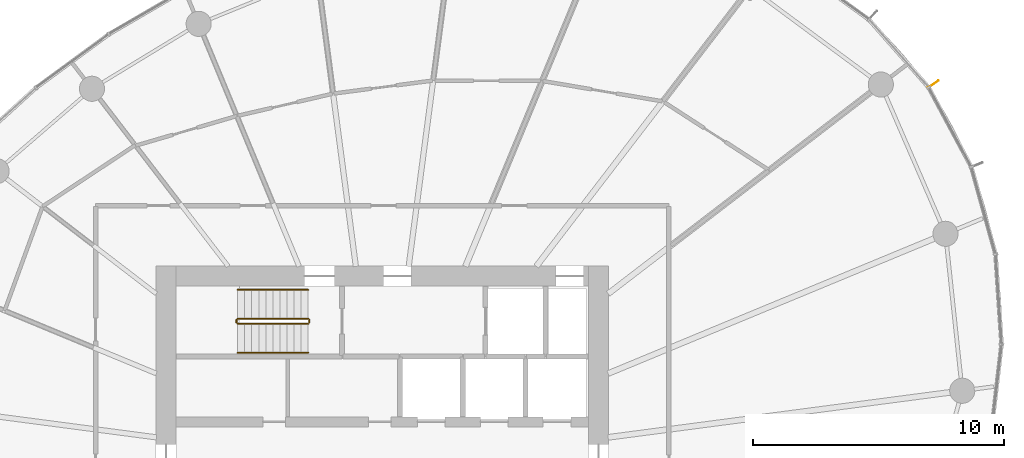
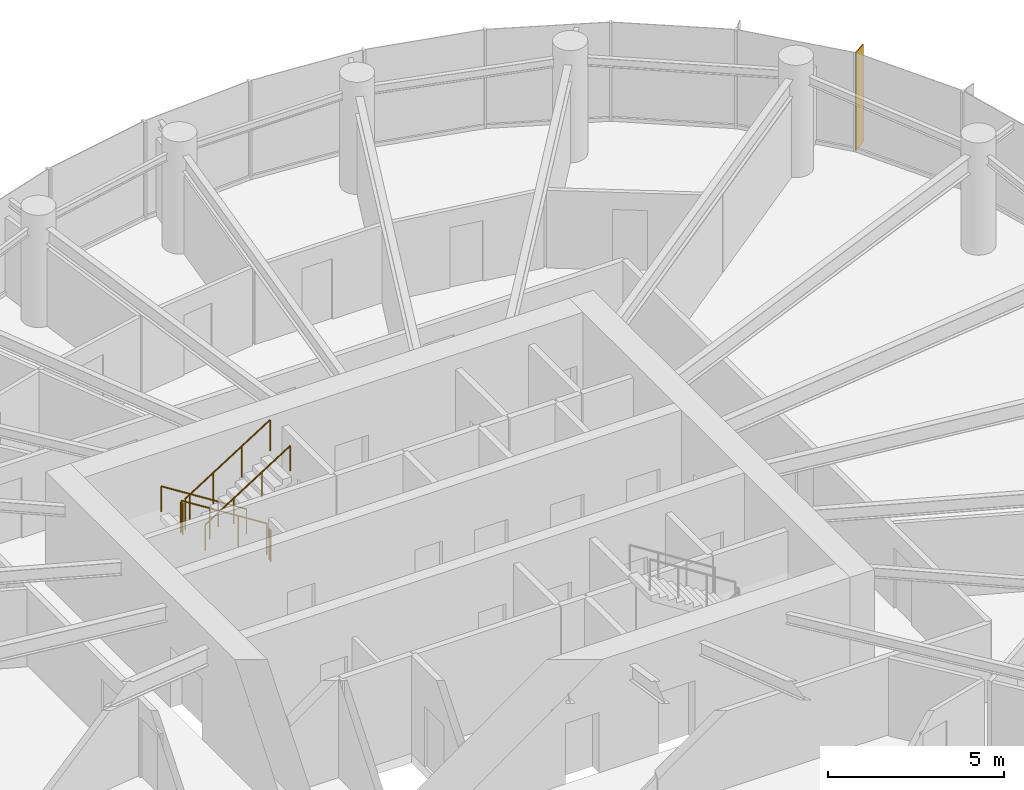
# One storey, part 14 of 15: 6 railings, 1 shading device.
"""IFC4 building model written with IfcOpenShell, lengths in metres."""

from ifc_helpers import new_model, si_unit, direction, frame, origin, origin_2d, place, context, subcontext, project, spatial, rectangle, circle, extrude, source, transform, mapped, material, material_profile, profile_set, type_object, element, save


model = new_model("IFC4")

# Units and contexts
model_context = context("Model", 3, precision=1e-05, world=origin(), true_north=direction((0.0, 1.0)))
body_context = subcontext(model_context, "Body", "Model", "MODEL_VIEW")
ifc_project = project(units=[si_unit("LENGTHUNIT", "METRE"), si_unit("AREAUNIT", "SQUARE_METRE"), si_unit("VOLUMEUNIT", "CUBIC_METRE"), si_unit("PLANEANGLEUNIT", "RADIAN"), si_unit("MASSUNIT", "GRAM", prefix="KILO")], contexts=[model_context])

# Site, building, storey
site_placement = place(None, origin())
site = spatial("IfcSite", under=ifc_project, at=site_placement, CompositionType="ELEMENT")
building_placement = place(site_placement, origin())
building = spatial("IfcBuilding", under=site, at=building_placement, Name="Spindrift Exchange Tower", CompositionType="ELEMENT")
storey_placement = place(building_placement, frame((0.0, 0.0, 176.0)))
storey = spatial("IfcBuildingStorey", under=building, at=storey_placement, Name="L42", CompositionType="ELEMENT", Elevation=176.0)

# Railings
ifc_material_1 = material(Name="Steel balustrade", Category="steel")
railing_type_1 = type_object("IfcRailingType", Name="RL-STAIR-GUARD", PredefinedType="GUARDRAIL", material=ifc_material_1)
railing_1_placement = place(storey_placement, frame((49.050048828125, 53.89990234375, 0.17724609375)))
element("IfcRailing", 1, at=railing_1_placement, inside=storey, type_object=railing_type_1, Name="L42 ST1 stair guard 1", PredefinedType="GUARDRAIL", context=body_context, shape_type="SweptSolid", body=[
    extrude(circle(Radius=0.02392578125, at=origin_2d()), frame((0.0, 0.0, 1.076171875), z_axis=(-0.844908973607, 0.0, 0.534910110503), x_axis=(0.0, -1.0, 0.0)), (0.0, 0.0, 1.0), 3.31396484375),
    extrude(circle(Radius=0.02099609375, at=origin_2d()), origin(), (0.0, 0.0, 1.0), 1.052001953125),
    extrude(circle(Radius=0.02099609375, at=origin_2d()), frame((-0.933349609375, 0.0, 0.5908203125)), (0.0, 0.0, 1.0), 1.052001953125),
    extrude(circle(Radius=0.02099609375, at=origin_2d()), frame((-1.86669921875, 0.0, 1.181884765625)), (0.0, 0.0, 1.0), 1.052001953125),
    extrude(circle(Radius=0.02099609375, at=origin_2d()), frame((-2.800048828125, 0.0, 1.772705078125)), (0.0, 0.0, 1.0), 1.052001953125),
])
railing_2_placement = place(storey_placement, frame((46.199951171875, 53.85009765625, 1.949951171875)))
element("IfcRailing", 2, at=railing_2_placement, inside=storey, type_object=railing_type_1, Name="L42 ST1 stair guard 2", PredefinedType="GUARDRAIL", context=body_context, shape_type="SweptSolid", body=[
    extrude(circle(Radius=0.02392578125, at=origin_2d()), frame((0.0, 0.0, 1.076171875), z_axis=(0.0, -1.0, 0.0), x_axis=(1.0, 0.0, 0.0)), (0.0, 0.0, 1.0), 0.10009765625),
    extrude(circle(Radius=0.02099609375, at=origin_2d()), origin(), (0.0, 0.0, 1.0), 1.052001953125),
    extrude(circle(Radius=0.02099609375, at=origin_2d()), frame((0.0, -0.10009765625, 0.0)), (0.0, 0.0, 1.0), 1.052001953125),
])
railing_3_placement = place(storey_placement, frame((46.25, 53.699951171875, 2.127197265625)))
element("IfcRailing", 3, at=railing_3_placement, inside=storey, type_object=railing_type_1, Name="L42 ST1 stair guard 3", PredefinedType="GUARDRAIL", context=body_context, shape_type="SweptSolid", body=[
    extrude(circle(Radius=0.02392578125, at=origin_2d()), frame((0.0, 0.0, 1.076171875), z_axis=(0.844908973607, 0.0, 0.534910110503), x_axis=(0.0, 1.0, 0.0)), (0.0, 0.0, 1.0), 3.31396484375),
    extrude(circle(Radius=0.02099609375, at=origin_2d()), origin(), (0.0, 0.0, 1.0), 1.052001953125),
    extrude(circle(Radius=0.02099609375, at=origin_2d()), frame((0.933349609375, 0.0, 0.5908203125)), (0.0, 0.0, 1.0), 1.052001953125),
    extrude(circle(Radius=0.02099609375, at=origin_2d()), frame((1.86669921875, 0.0, 1.181884765625)), (0.0, 0.0, 1.0), 1.052001953125),
    extrude(circle(Radius=0.02099609375, at=origin_2d()), frame((2.800048828125, 0.0, 1.772705078125)), (0.0, 0.0, 1.0), 1.052001953125),
])
railing_4_placement = place(storey_placement, frame((49.10009765625, 53.85009765625, 0.0)))
element("IfcRailing", 4, at=railing_4_placement, inside=storey, type_object=railing_type_1, Name="L42 ST1 stair guard 4", PredefinedType="GUARDRAIL", context=body_context, shape_type="SweptSolid", body=[
    extrude(circle(Radius=0.02392578125, at=origin_2d()), frame((0.0, 0.0, 1.076171875), z_axis=(0.0, -1.0, 0.0), x_axis=(1.0, 0.0, 0.0)), (0.0, 0.0, 1.0), 0.10009765625),
    extrude(circle(Radius=0.02099609375, at=origin_2d()), origin(), (0.0, 0.0, 1.0), 1.052001953125),
    extrude(circle(Radius=0.02099609375, at=origin_2d()), frame((0.0, -0.10009765625, 0.0)), (0.0, 0.0, 1.0), 1.052001953125),
])
ifc_material_2 = material(Name="Steel tubular handrail", Category="steel")
railing_type_2 = type_object("IfcRailingType", Name="RL-STAIR-HAND", PredefinedType="HANDRAIL", material=ifc_material_2)
railing_5_placement = place(storey_placement, frame((49.050048828125, 55.050048828125, 0.17724609375)))
element("IfcRailing", 5, at=railing_5_placement, inside=storey, type_object=railing_type_2, Name="L42 ST1 stair handrail 1", PredefinedType="HANDRAIL", context=body_context, shape_type="SweptSolid", body=[
    extrude(circle(Radius=0.02392578125, at=origin_2d()), frame((0.0, 0.0, 0.8759765625), z_axis=(-0.844908973607, 0.0, 0.534910110503), x_axis=(0.0, -1.0, 0.0)), (0.0, 0.0, 1.0), 3.31396484375),
    extrude(circle(Radius=0.02099609375, at=origin_2d()), origin(), (0.0, 0.0, 1.0), 0.851806640625),
    extrude(circle(Radius=0.02099609375, at=origin_2d()), frame((-0.933349609375, 0.0, 0.5908203125)), (0.0, 0.0, 1.0), 0.851806640625),
    extrude(circle(Radius=0.02099609375, at=origin_2d()), frame((-1.86669921875, 0.0, 1.181884765625)), (0.0, 0.0, 1.0), 0.851806640625),
    extrude(circle(Radius=0.02099609375, at=origin_2d()), frame((-2.800048828125, 0.0, 1.772705078125)), (0.0, 0.0, 1.0), 0.851806640625),
])
railing_6_placement = place(storey_placement, frame((46.25, 52.550048828125, 2.127197265625)))
element("IfcRailing", 6, at=railing_6_placement, inside=storey, type_object=railing_type_2, Name="L42 ST1 stair handrail 2", PredefinedType="HANDRAIL", context=body_context, shape_type="SweptSolid", body=[
    extrude(circle(Radius=0.02392578125, at=origin_2d()), frame((0.0, 0.0, 0.8759765625), z_axis=(0.844908973607, 0.0, 0.534910110503), x_axis=(0.0, 1.0, 0.0)), (0.0, 0.0, 1.0), 3.31396484375),
    extrude(circle(Radius=0.02099609375, at=origin_2d()), origin(), (0.0, 0.0, 1.0), 0.851806640625),
    extrude(circle(Radius=0.02099609375, at=origin_2d()), frame((0.933349609375, 0.0, 0.5908203125)), (0.0, 0.0, 1.0), 0.851806640625),
    extrude(circle(Radius=0.02099609375, at=origin_2d()), frame((1.86669921875, 0.0, 1.181884765625)), (0.0, 0.0, 1.0), 0.851806640625),
    extrude(circle(Radius=0.02099609375, at=origin_2d()), frame((2.800048828125, 0.0, 1.772705078125)), (0.0, 0.0, 1.0), 0.851806640625),
])

# Shading device
ifc_material_3 = material(Name="Bronze anodised aluminium", Category="aluminium")
ifc_material_profile = material_profile(ifc_material_3, rectangle(XDim=0.030029296875, YDim=0.5, at=origin_2d()), Name="WIND FIN 30X500")
ifc_profile_set = profile_set([ifc_material_profile], Name="Bronze anodised aluminium")
shading_device_type = type_object("IfcShadingDeviceType", Name="WIND FIN 30X500", PredefinedType="USERDEFINED", material=ifc_profile_set)
shared_shape = source(origin(), body_context, "Body", "SweptSolid", [
    extrude(rectangle(XDim=0.030029296875, YDim=0.5, at=origin_2d()), origin(), (0.0, 0.0, 1.0), 3.39990234375),
])
shading_device_placement = place(storey_placement, frame((73.910888671875, 63.2255859375, 0.0), z_axis=(0.0, 0.0, 1.0), x_axis=(-0.570627574011, 0.821208969616, 0.0)))
element("IfcShadingDevice", 7, at=shading_device_placement, inside=storey, type_object=shading_device_type, Name="L42 wind fin 2", ObjectType="FIN", PredefinedType="USERDEFINED", context=body_context, shape_type="MappedRepresentation", body=[
    mapped(shared_shape, transform((0.0, 0.0, 0.0), scale=1.0)),
])

save(model, "model.ifc")
